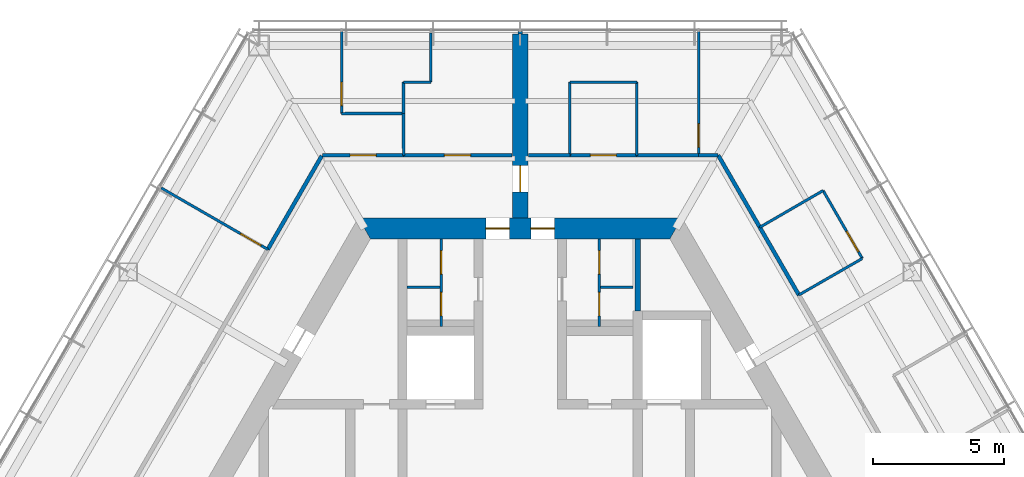
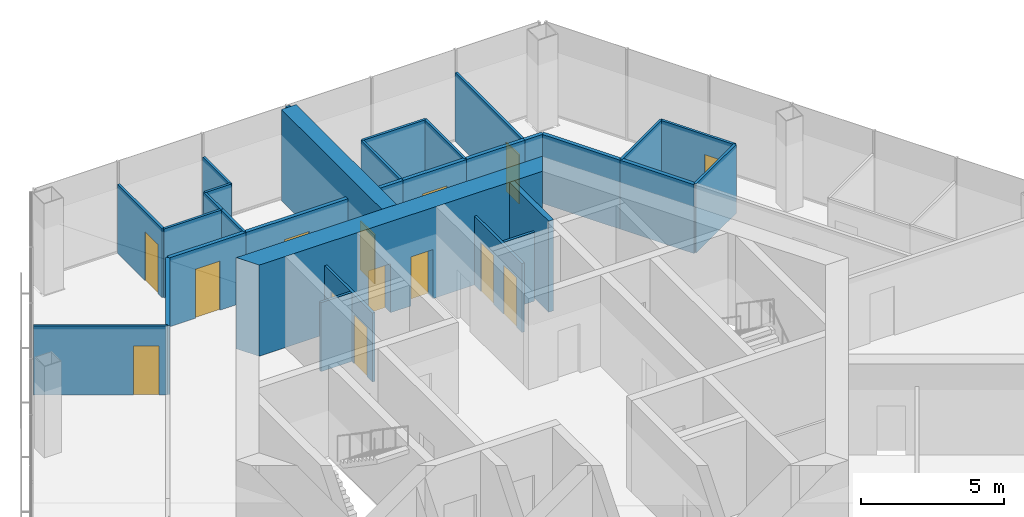
# One storey, part 12 of 14: 31 walls, 14 doors, 14 openings.
"""IFC4 building model written with IfcOpenShell, lengths in metres."""

from ifc_helpers import new_model, si_unit, direction, frame, frame_2d, origin, place, context, subcontext, project, spatial, polyline, rectangle, outline, extrude, material, layer, layer_set, type_object, element, fill, save


model = new_model("IFC4")

# Units and contexts
model_context = context("Model", 3, precision=1e-05, world=origin(), true_north=direction((0.0, 1.0)))
body_context = subcontext(model_context, "Body", "Model", "MODEL_VIEW")
ifc_project = project(units=[si_unit("LENGTHUNIT", "METRE"), si_unit("AREAUNIT", "SQUARE_METRE"), si_unit("VOLUMEUNIT", "CUBIC_METRE"), si_unit("PLANEANGLEUNIT", "RADIAN"), si_unit("MASSUNIT", "GRAM", prefix="KILO")], contexts=[model_context])

# Site, building, storey
site_placement = place(None, origin())
site = spatial("IfcSite", under=ifc_project, at=site_placement, CompositionType="ELEMENT")
building_placement = place(site_placement, origin())
building = spatial("IfcBuilding", under=site, at=building_placement, Name="Kasaneha Research Tower", CompositionType="ELEMENT")
storey_placement = place(building_placement, frame((0.0, 0.0, 216.699951171875)))
storey = spatial("IfcBuildingStorey", under=building, at=storey_placement, Name="L54", CompositionType="ELEMENT", Elevation=216.699951171875)

# Wall, openings, doors
ifc_material_1 = material(Name="Concrete Fc60", Category="concrete")
ifc_layer_1 = layer(ifc_material_1, 0.800048828125)
ifc_layer_set_1 = layer_set([ifc_layer_1], Name="Core wall 800 Fc60")
wall_type_1 = type_object("IfcWallType", Name="Core wall 800 Fc60", PredefinedType="SHEAR", material=ifc_layer_set_1)
wall_1_placement = place(storey_placement, frame((5.961181640625, 10.324951171875, 0.0), z_axis=(0.0, 0.0, 1.0), x_axis=(-1.0, 0.0, 0.0)))
wall_1 = element("IfcWall", 1, at=wall_1_placement, inside=storey, type_object=wall_type_1, Name="Core wall 090 L54", PredefinedType="SHEAR", context=body_context, shape_type="SweptSolid", body=[
    extrude(outline(polyline([(-0.23095703125, -0.39990234375), (4.648681640625, -0.39990234375), (5.548583984375, -0.39990234375), (6.37353515625, -0.39990234375), (7.2734375, -0.39990234375), (12.1533203125, -0.39990234375), (11.69140625, 0.39990234375), (7.2734375, 0.39990234375), (6.37353515625, 0.39990234375), (5.548583984375, 0.39990234375), (4.648681640625, 0.39990234375), (0.23095703125, 0.39990234375), (-0.23095703125, -0.39990234375)])), origin(), (0.0, 0.0, 1.0), 3.900146484375),
])
opening_1_placement = place(wall_1_placement, frame((6.37353515625, 0.0, 0.0)))
opening_1 = element("IfcOpeningElement", 2, at=opening_1_placement, cuts=wall_1, Name="Opening L54-D01", PredefinedType="OPENING", context=body_context, shape_type="SweptSolid", body=[
    extrude(rectangle(XDim=0.89990234375, YDim=2.10009765625, at=frame_2d((0.449951171875, 1.050048828125))), frame((0.0, 0.41015625, 0.0), z_axis=(0.0, -1.0, 0.0), x_axis=(1.0, 0.0, 0.0)), (0.0, 0.0, 1.0), 0.820068359375),
])
opening_2_placement = place(wall_1_placement, frame((4.648681640625, 0.0, 0.0)))
opening_2 = element("IfcOpeningElement", 3, at=opening_2_placement, cuts=wall_1, Name="Opening L54-D02", PredefinedType="OPENING", context=body_context, shape_type="SweptSolid", body=[
    extrude(rectangle(XDim=0.89990234375, YDim=2.10009765625, at=frame_2d((0.449951171875, 1.050048828125))), frame((0.0, 0.41015625, 0.0), z_axis=(0.0, -1.0, 0.0), x_axis=(1.0, 0.0, 0.0)), (0.0, 0.0, 1.0), 0.820068359375),
])
ifc_material_2 = material(Name="Steel", Category="steel")
door_type_1 = type_object("IfcDoorType", Name="Toilet door FD20 900x2100", OperationType="NOTDEFINED", PredefinedType="DOOR", material=ifc_material_2)
door_1_placement = place(opening_1_placement, origin())
door_1 = element("IfcDoor", 4, at=door_1_placement, inside=storey, type_object=door_type_1, Name="Core door north 1 L54-D01", OperationType="SINGLE_SWING_RIGHT", OverallHeight=2.10009765625, OverallWidth=0.89990234375, PredefinedType="DOOR", context=body_context, shape_type="SweptSolid", body=[
    extrude(rectangle(XDim=0.89990234375, YDim=2.10009765625, at=frame_2d((0.449951171875, 1.050048828125))), frame((0.0, 0.02490234375, 0.0), z_axis=(0.0, -1.0, 0.0), x_axis=(1.0, 0.0, 0.0)), (0.0, 0.0, 1.0), 0.050048828125),
])
fill(opening_1, door_1)
door_2_placement = place(opening_2_placement, origin())
door_2 = element("IfcDoor", 5, at=door_2_placement, inside=storey, type_object=door_type_1, Name="Core door north 2 L54-D02", OperationType="SINGLE_SWING_LEFT", OverallHeight=2.10009765625, OverallWidth=0.89990234375, PredefinedType="DOOR", context=body_context, shape_type="SweptSolid", body=[
    extrude(rectangle(XDim=0.89990234375, YDim=2.10009765625, at=frame_2d((0.449951171875, 1.050048828125))), frame((0.0, 0.02490234375, 0.0), z_axis=(0.0, -1.0, 0.0), x_axis=(1.0, 0.0, 0.0)), (0.0, 0.0, 1.0), 0.050048828125),
])
fill(opening_2, door_2)

ifc_material_3 = material(Name="Gypsum board on steel studs, one layer each side", Category="steel")
ifc_layer_2 = layer(ifc_material_3, 0.10009765625)
ifc_layer_set_2 = layer_set([ifc_layer_2], Name="Office partition 100")
wall_type_2 = type_object("IfcWallType", Name="Office partition 100", PredefinedType="PARTITIONING", material=ifc_layer_set_2)
wall_2_placement = place(storey_placement, frame((-3.02490234375, 6.574951171875, 0.0), z_axis=(0.0, 0.0, 1.0), x_axis=(0.0, 1.0, 0.0)))
wall_2 = element("IfcWall", 6, at=wall_2_placement, inside=storey, type_object=wall_type_2, Name="Office partition TBM1 L54", PredefinedType="PARTITIONING", context=body_context, shape_type="SweptSolid", body=[
    extrude(rectangle(XDim=3.35009765625, YDim=0.10009765625, at=frame_2d((1.675048828125, 0.0))), origin(), (0.0, 0.0, 1.0), 2.949951171875),
])
opening_3_placement = place(wall_2_placement, frame((2.0, 0.0, 0.0)))
opening_3 = element("IfcOpeningElement", 7, at=opening_3_placement, cuts=wall_2, Name="Opening L54-D21", PredefinedType="OPENING", context=body_context, shape_type="SweptSolid", body=[
    extrude(rectangle(XDim=0.89990234375, YDim=2.10009765625, at=frame_2d((0.449951171875, 1.050048828125))), frame((0.0, 0.06005859375, 0.0), z_axis=(0.0, -1.0, 0.0), x_axis=(1.0, 0.0, 0.0)), (0.0, 0.0, 1.0), 0.1201171875),
])
opening_4_placement = place(wall_2_placement, frame((0.39990234375, 0.0, 0.0)))
opening_4 = element("IfcOpeningElement", 8, at=opening_4_placement, cuts=wall_2, Name="Opening L54-D22", PredefinedType="OPENING", context=body_context, shape_type="SweptSolid", body=[
    extrude(rectangle(XDim=0.89990234375, YDim=2.10009765625, at=frame_2d((0.449951171875, 1.050048828125))), frame((0.0, 0.06005859375, 0.0), z_axis=(0.0, -1.0, 0.0), x_axis=(1.0, 0.0, 0.0)), (0.0, 0.0, 1.0), 0.1201171875),
])
ifc_material_4 = material(Name="Steel", Category="steel")
door_type_2 = type_object("IfcDoorType", Name="Toilet lobby door FD30 900x2100", OperationType="NOTDEFINED", PredefinedType="DOOR", material=ifc_material_4)
door_3_placement = place(opening_3_placement, origin())
door_3 = element("IfcDoor", 9, at=door_3_placement, inside=storey, type_object=door_type_2, Name="Men's WC door L54-D21", OperationType="SINGLE_SWING_RIGHT", OverallHeight=2.10009765625, OverallWidth=0.89990234375, PredefinedType="DOOR", context=body_context, shape_type="SweptSolid", body=[
    extrude(rectangle(XDim=0.89990234375, YDim=2.10009765625, at=frame_2d((0.449951171875, 1.050048828125))), frame((0.0, 0.02490234375, 0.0), z_axis=(0.0, -1.0, 0.0), x_axis=(1.0, 0.0, 0.0)), (0.0, 0.0, 1.0), 0.050048828125),
])
fill(opening_3, door_3)
door_4_placement = place(opening_4_placement, origin())
door_4 = element("IfcDoor", 10, at=door_4_placement, inside=storey, type_object=door_type_2, Name="Cleaner's store door L54-D22", OperationType="SINGLE_SWING_RIGHT", OverallHeight=2.10009765625, OverallWidth=0.89990234375, PredefinedType="DOOR", context=body_context, shape_type="SweptSolid", body=[
    extrude(rectangle(XDim=0.89990234375, YDim=2.10009765625, at=frame_2d((0.449951171875, 1.050048828125))), frame((0.0, 0.02490234375, 0.0), z_axis=(0.0, -1.0, 0.0), x_axis=(1.0, 0.0, 0.0)), (0.0, 0.0, 1.0), 0.050048828125),
])
fill(opening_4, door_4)

# Wall
wall_3_placement = place(storey_placement, frame((-3.074951171875, 8.074951171875, 0.0), z_axis=(0.0, 0.0, 1.0), x_axis=(-1.0, 0.0, 0.0)))
element("IfcWall", 11, at=wall_3_placement, inside=storey, type_object=wall_type_2, Name="Office partition TBM2 L54", PredefinedType="PARTITIONING", context=body_context, shape_type="SweptSolid", body=[
    extrude(rectangle(XDim=1.25, YDim=0.10009765625, at=frame_2d((0.625, 0.0))), origin(), (0.0, 0.0, 1.0), 2.949951171875),
])

# Wall, openings, doors
wall_4_placement = place(storey_placement, frame((3.02490234375, 6.574951171875, 0.0), z_axis=(0.0, 0.0, 1.0), x_axis=(0.0, 1.0, 0.0)))
wall_4 = element("IfcWall", 12, at=wall_4_placement, inside=storey, type_object=wall_type_2, Name="Office partition TBF1 L54", PredefinedType="PARTITIONING", context=body_context, shape_type="SweptSolid", body=[
    extrude(rectangle(XDim=3.35009765625, YDim=0.10009765625, at=frame_2d((1.675048828125, 0.0))), origin(), (0.0, 0.0, 1.0), 2.949951171875),
])
opening_5_placement = place(wall_4_placement, frame((2.0, 0.0, 0.0)))
opening_5 = element("IfcOpeningElement", 13, at=opening_5_placement, cuts=wall_4, Name="Opening L54-D23", PredefinedType="OPENING", context=body_context, shape_type="SweptSolid", body=[
    extrude(rectangle(XDim=0.89990234375, YDim=2.10009765625, at=frame_2d((0.449951171875, 1.050048828125))), frame((0.0, 0.06005859375, 0.0), z_axis=(0.0, -1.0, 0.0), x_axis=(1.0, 0.0, 0.0)), (0.0, 0.0, 1.0), 0.1201171875),
])
opening_6_placement = place(wall_4_placement, frame((0.39990234375, 0.0, 0.0)))
opening_6 = element("IfcOpeningElement", 14, at=opening_6_placement, cuts=wall_4, Name="Opening L54-D24", PredefinedType="OPENING", context=body_context, shape_type="SweptSolid", body=[
    extrude(rectangle(XDim=0.89990234375, YDim=2.10009765625, at=frame_2d((0.449951171875, 1.050048828125))), frame((0.0, 0.06005859375, 0.0), z_axis=(0.0, -1.0, 0.0), x_axis=(1.0, 0.0, 0.0)), (0.0, 0.0, 1.0), 0.1201171875),
])
door_5_placement = place(opening_5_placement, origin())
door_5 = element("IfcDoor", 15, at=door_5_placement, inside=storey, type_object=door_type_2, Name="Women's WC door L54-D23", OperationType="SINGLE_SWING_RIGHT", OverallHeight=2.10009765625, OverallWidth=0.89990234375, PredefinedType="DOOR", context=body_context, shape_type="SweptSolid", body=[
    extrude(rectangle(XDim=0.89990234375, YDim=2.10009765625, at=frame_2d((0.449951171875, 1.050048828125))), frame((0.0, 0.02490234375, 0.0), z_axis=(0.0, -1.0, 0.0), x_axis=(1.0, 0.0, 0.0)), (0.0, 0.0, 1.0), 0.050048828125),
])
fill(opening_5, door_5)
door_6_placement = place(opening_6_placement, origin())
door_6 = element("IfcDoor", 16, at=door_6_placement, inside=storey, type_object=door_type_2, Name="Parents' room door L54-D24", OperationType="SINGLE_SWING_RIGHT", OverallHeight=2.10009765625, OverallWidth=0.89990234375, PredefinedType="DOOR", context=body_context, shape_type="SweptSolid", body=[
    extrude(rectangle(XDim=0.89990234375, YDim=2.10009765625, at=frame_2d((0.449951171875, 1.050048828125))), frame((0.0, 0.02490234375, 0.0), z_axis=(0.0, -1.0, 0.0), x_axis=(1.0, 0.0, 0.0)), (0.0, 0.0, 1.0), 0.050048828125),
])
fill(opening_6, door_6)

# Walls
wall_5_placement = place(storey_placement, frame((3.074951171875, 8.074951171875, 0.0), z_axis=(0.0, 0.0, 1.0), x_axis=(1.0, 0.0, 0.0)))
element("IfcWall", 17, at=wall_5_placement, inside=storey, type_object=wall_type_2, Name="Office partition TBF2 L54", PredefinedType="PARTITIONING", context=body_context, shape_type="SweptSolid", body=[
    extrude(rectangle(XDim=1.25, YDim=0.10009765625, at=frame_2d((0.625, 0.0))), origin(), (0.0, 0.0, 1.0), 2.949951171875),
])
wall_6_placement = place(storey_placement, frame((1.89990234375, 15.925048828125, 0.0), z_axis=(0.0, 0.0, 1.0), x_axis=(1.0, 0.0, 0.0)))
element("IfcWall", 18, at=wall_6_placement, inside=storey, type_object=wall_type_2, Name="Office partition FAE08 L54", PredefinedType="PARTITIONING", context=body_context, shape_type="SweptSolid", body=[
    extrude(rectangle(XDim=2.565185546875, YDim=0.10009765625, at=frame_2d((1.28271484375, 0.0))), origin(), (0.0, 0.0, 1.0), 2.949951171875),
])
for number, where, z_axis, x_axis, name in (
    (19, (1.905029296875, 13.125, 0.0), (0.0, 0.0, 1.0), (-0.001831019688, 0.999998323682, 0.0), "Office partition FAE09 L54"),
    (20, (4.465087890625, 15.925048828125, 0.0), (0.0, 0.0, 1.0), (-0.001831019688, -0.999998323682, 0.0), "Office partition FAE10 L54"),
    (21, (9.168701171875, 10.369140625, 0.0), (0.0, 0.0, 1.0), (0.865255114713, 0.501331812737, 0.0), "Office partition FAE11 L54"),
):
    element("IfcWall", number, at=place(storey_placement, frame(where, z_axis=z_axis, x_axis=x_axis)), inside=storey, type_object=wall_type_2, Name=name, PredefinedType="PARTITIONING", context=body_context, shape_type="SweptSolid", body=[
        extrude(rectangle(XDim=2.800048828125, YDim=0.10009765625, at=frame_2d((1.39990234375, 0.0))), origin(), (0.0, 0.0, 1.0), 2.949951171875),
    ])

# Wall, opening, door
wall_7_placement = place(storey_placement, frame((11.591552734375, 11.77294921875, 0.0), z_axis=(0.0, 0.0, 1.0), x_axis=(0.499990139034, -0.866031096941, 0.0)))
wall_7 = element("IfcWall", 22, at=wall_7_placement, inside=storey, type_object=wall_type_2, Name="Office partition FAE12 L54", PredefinedType="PARTITIONING", context=body_context, shape_type="SweptSolid", body=[
    extrude(rectangle(XDim=3.0, YDim=0.10009765625, at=frame_2d((1.5, 0.0))), origin(), (0.0, 0.0, 1.0), 2.949951171875),
])
opening_7_placement = place(wall_7_placement, frame((1.800048828125, 0.0, 0.0)))
opening_7 = element("IfcOpeningElement", 23, at=opening_7_placement, cuts=wall_7, Name="Opening L54-D30", PredefinedType="OPENING", context=body_context, shape_type="SweptSolid", body=[
    extrude(rectangle(XDim=0.89990234375, YDim=2.10009765625, at=frame_2d((0.449951171875, 1.050048828125))), frame((0.0, 0.06005859375, 0.0), z_axis=(0.0, -1.0, 0.0), x_axis=(1.0, 0.0, 0.0)), (0.0, 0.0, 1.0), 0.1201171875),
])
ifc_material_5 = material(Name="Timber veneer", Category="wood")
door_type_3 = type_object("IfcDoorType", Name="Office door 900x2100", OperationType="SINGLE_SWING_LEFT", PredefinedType="DOOR", material=ifc_material_5)
door_7_placement = place(opening_7_placement, origin())
door_7 = element("IfcDoor", 24, at=door_7_placement, inside=storey, type_object=door_type_3, Name="Pantry door L54-D30", OperationType="SINGLE_SWING_RIGHT", OverallHeight=2.10009765625, OverallWidth=0.89990234375, PredefinedType="DOOR", context=body_context, shape_type="SweptSolid", body=[
    extrude(rectangle(XDim=0.89990234375, YDim=2.10009765625, at=frame_2d((0.449951171875, 1.050048828125))), frame((0.0, 0.02490234375, 0.0), z_axis=(0.0, -1.0, 0.0), x_axis=(1.0, 0.0, 0.0)), (0.0, 0.0, 1.0), 0.050048828125),
])
fill(opening_7, door_7)

# Wall
wall_8_placement = place(storey_placement, frame((13.091552734375, 9.1748046875, 0.0), z_axis=(0.0, 0.0, 1.0), x_axis=(-0.866855433567, -0.498559582492, 0.0)))
element("IfcWall", 25, at=wall_8_placement, inside=storey, type_object=wall_type_2, Name="Office partition FAE13 L54", PredefinedType="PARTITIONING", context=body_context, shape_type="SweptSolid", body=[
    extrude(rectangle(XDim=2.800048828125, YDim=0.10009765625, at=frame_2d((1.39990234375, 0.0))), origin(), (0.0, 0.0, 1.0), 2.949951171875),
])

# Wall, opening, door
wall_9_placement = place(storey_placement, frame((6.8310546875, 17.85546875, 0.0), z_axis=(0.0, 0.0, 1.0), x_axis=(-0.000980594079, -0.999999519218, 0.0)))
wall_9 = element("IfcWall", 26, at=wall_9_placement, inside=storey, type_object=wall_type_2, Name="Office partition FAE14 L54", PredefinedType="PARTITIONING", context=body_context, shape_type="SweptSolid", body=[
    extrude(rectangle(XDim=4.73046875, YDim=0.10009765625, at=frame_2d((2.365234375, 0.0))), origin(), (0.0, 0.0, 1.0), 2.949951171875),
])
opening_8_placement = place(wall_9_placement, frame((3.530517578125, 0.0, 0.0)))
opening_8 = element("IfcOpeningElement", 27, at=opening_8_placement, cuts=wall_9, Name="Opening L54-D31", PredefinedType="OPENING", context=body_context, shape_type="SweptSolid", body=[
    extrude(rectangle(XDim=0.89990234375, YDim=2.10009765625, at=frame_2d((0.449951171875, 1.050048828125))), frame((0.0, 0.06005859375, 0.0), z_axis=(0.0, -1.0, 0.0), x_axis=(1.0, 0.0, 0.0)), (0.0, 0.0, 1.0), 0.1201171875),
])
door_8_placement = place(opening_8_placement, origin())
door_8 = element("IfcDoor", 28, at=door_8_placement, inside=storey, type_object=door_type_3, Name="Project room door L54-D31", OperationType="SINGLE_SWING_RIGHT", OverallHeight=2.10009765625, OverallWidth=0.89990234375, PredefinedType="DOOR", context=body_context, shape_type="SweptSolid", body=[
    extrude(rectangle(XDim=0.89990234375, YDim=2.10009765625, at=frame_2d((0.449951171875, 1.050048828125))), frame((0.0, 0.02490234375, 0.0), z_axis=(0.0, -1.0, 0.0), x_axis=(1.0, 0.0, 0.0)), (0.0, 0.0, 1.0), 0.050048828125),
])
fill(opening_8, door_8)

# Walls
wall_10_placement = place(storey_placement, frame((-4.465087890625, 14.715576171875, 0.0), z_axis=(0.0, 0.0, 1.0), x_axis=(0.0, 1.0, 0.0)))
element("IfcWall", 29, at=wall_10_placement, inside=storey, type_object=wall_type_2, Name="Office partition FAW03 L54", PredefinedType="PARTITIONING", context=body_context, shape_type="SweptSolid", body=[
    extrude(rectangle(XDim=1.20947265625, YDim=0.10009765625, at=frame_2d((0.604736328125, 0.0))), origin(), (0.0, 0.0, 1.0), 2.949951171875),
])
wall_11_placement = place(storey_placement, frame((-4.465087890625, 15.925048828125, 0.0), z_axis=(0.0, 0.0, 1.0), x_axis=(1.0, 0.0, 0.0)))
element("IfcWall", 30, at=wall_11_placement, inside=storey, type_object=wall_type_2, Name="Office partition FAW04 L54", PredefinedType="PARTITIONING", context=body_context, shape_type="SweptSolid", body=[
    extrude(rectangle(XDim=1.050048828125, YDim=0.10009765625, at=frame_2d((0.52490234375, 0.0))), origin(), (0.0, 0.0, 1.0), 2.949951171875),
])
wall_12_placement = place(storey_placement, frame((-3.4150390625, 15.925048828125, 0.0), z_axis=(0.0, 0.0, 1.0), x_axis=(-0.000130174433, 0.999999991527, 0.0)))
element("IfcWall", 31, at=wall_12_placement, inside=storey, type_object=wall_type_2, Name="Office partition FAW05 L54", PredefinedType="PARTITIONING", context=body_context, shape_type="SweptSolid", body=[
    extrude(rectangle(XDim=1.87548828125, YDim=0.10009765625, at=frame_2d((0.937744140625, 0.0))), origin(), (0.0, 0.0, 1.0), 2.949951171875),
])
wall_13_placement = place(storey_placement, frame((-4.46044921875, 13.125, 0.0), z_axis=(0.0, 0.0, 1.0), x_axis=(-0.0028989808, 0.999995797946, 0.0)))
element("IfcWall", 32, at=wall_13_placement, inside=storey, type_object=wall_type_2, Name="Office partition FAW06 L54", PredefinedType="PARTITIONING", context=body_context, shape_type="SweptSolid", body=[
    extrude(rectangle(XDim=1.60009765625, YDim=0.10009765625, at=frame_2d((0.800048828125, 0.0))), origin(), (0.0, 0.0, 1.0), 2.949951171875),
])

# Wall, opening, door
wall_14_placement = place(storey_placement, frame((-6.830810546875, 14.720458984375, 0.0), z_axis=(0.0, 0.0, 1.0), x_axis=(0.0, 1.0, 0.0)))
wall_14 = element("IfcWall", 33, at=wall_14_placement, inside=storey, type_object=wall_type_2, Name="Office partition FAW07 L54", PredefinedType="PARTITIONING", context=body_context, shape_type="SweptSolid", body=[
    extrude(rectangle(XDim=3.135009765625, YDim=0.10009765625, at=frame_2d((1.5673828125, 0.0))), origin(), (0.0, 0.0, 1.0), 2.949951171875),
])
opening_9_placement = place(wall_14_placement, frame((0.300048828125, 0.0, 0.0)))
opening_9 = element("IfcOpeningElement", 34, at=opening_9_placement, cuts=wall_14, Name="Opening L54-D36", PredefinedType="OPENING", context=body_context, shape_type="SweptSolid", body=[
    extrude(rectangle(XDim=0.89990234375, YDim=2.10009765625, at=frame_2d((0.449951171875, 1.050048828125))), frame((0.0, 0.06005859375, 0.0), z_axis=(0.0, -1.0, 0.0), x_axis=(1.0, 0.0, 0.0)), (0.0, 0.0, 1.0), 0.1201171875),
])
door_9_placement = place(opening_9_placement, origin())
door_9 = element("IfcDoor", 35, at=door_9_placement, inside=storey, type_object=door_type_3, Name="Project room door L54-D36", OperationType="SINGLE_SWING_LEFT", OverallHeight=2.10009765625, OverallWidth=0.89990234375, PredefinedType="DOOR", context=body_context, shape_type="SweptSolid", body=[
    extrude(rectangle(XDim=0.89990234375, YDim=2.10009765625, at=frame_2d((0.449951171875, 1.050048828125))), frame((0.0, 0.02490234375, 0.0), z_axis=(0.0, -1.0, 0.0), x_axis=(1.0, 0.0, 0.0)), (0.0, 0.0, 1.0), 0.050048828125),
])
fill(opening_9, door_9)

# Wall
wall_15_placement = place(storey_placement, frame((-4.465087890625, 14.72509765625, 0.0), z_axis=(0.0, 0.0, 1.0), x_axis=(-0.999998077668, -0.001960780544, 0.0)))
element("IfcWall", 36, at=wall_15_placement, inside=storey, type_object=wall_type_2, Name="Office partition FAW08 L54", PredefinedType="PARTITIONING", context=body_context, shape_type="SweptSolid", body=[
    extrude(rectangle(XDim=2.36572265625, YDim=0.10009765625, at=frame_2d((1.182861328125, 0.0))), origin(), (0.0, 0.0, 1.0), 2.949951171875),
])

# Wall, opening, door
wall_16_placement = place(storey_placement, frame((-9.656494140625, 9.5244140625, 0.0), z_axis=(0.0, 0.0, 1.0), x_axis=(-0.866526579402, 0.499130931911, 0.0)))
wall_16 = element("IfcWall", 37, at=wall_16_placement, inside=storey, type_object=wall_type_2, Name="Office partition FBN05 L54", PredefinedType="PARTITIONING", context=body_context, shape_type="SweptSolid", body=[
    extrude(rectangle(XDim=4.705322265625, YDim=0.10009765625, at=frame_2d((2.3525390625, 0.0))), origin(), (0.0, 0.0, 1.0), 2.949951171875),
])
opening_10_placement = place(wall_16_placement, frame((0.300048828125, 0.0, 0.0)))
opening_10 = element("IfcOpeningElement", 38, at=opening_10_placement, cuts=wall_16, Name="Opening L54-D38", PredefinedType="OPENING", context=body_context, shape_type="SweptSolid", body=[
    extrude(rectangle(XDim=0.89990234375, YDim=2.10009765625, at=frame_2d((0.449951171875, 1.050048828125))), frame((0.0, 0.06005859375, 0.0), z_axis=(0.0, -1.0, 0.0), x_axis=(1.0, 0.0, 0.0)), (0.0, 0.0, 1.0), 0.1201171875),
])
door_10_placement = place(opening_10_placement, origin())
door_10 = element("IfcDoor", 39, at=door_10_placement, inside=storey, type_object=door_type_3, Name="Manager's office door L54-D38", OperationType="SINGLE_SWING_LEFT", OverallHeight=2.10009765625, OverallWidth=0.89990234375, PredefinedType="DOOR", context=body_context, shape_type="SweptSolid", body=[
    extrude(rectangle(XDim=0.89990234375, YDim=2.10009765625, at=frame_2d((0.449951171875, 1.050048828125))), frame((0.0, 0.02490234375, 0.0), z_axis=(0.0, -1.0, 0.0), x_axis=(1.0, 0.0, 0.0)), (0.0, 0.0, 1.0), 0.050048828125),
])
fill(opening_10, door_10)

# Wall
ifc_material_6 = material(Name="Concrete block", Category="concrete")
ifc_layer_3 = layer(ifc_material_6, 0.199951171875)
ifc_layer_set_3 = layer_set([ifc_layer_3], Name="Riser enclosure wall 200")
wall_type_3 = type_object("IfcWallType", Name="Riser enclosure wall 200", PredefinedType="STANDARD", material=ifc_layer_set_3)
wall_17_placement = place(storey_placement, frame((4.5, 7.175048828125, 0.0), z_axis=(0.0, 0.0, 1.0), x_axis=(0.0, 1.0, 0.0)))
element("IfcWall", 40, at=wall_17_placement, inside=storey, type_object=wall_type_3, Name="Riser enclosure wall L54", PredefinedType="STANDARD", context=body_context, shape_type="SweptSolid", body=[
    extrude(rectangle(XDim=2.75, YDim=0.199951171875, at=frame_2d((1.375, 0.0))), origin(), (0.0, 0.0, 1.0), 3.900146484375),
])

# Wall, opening, door
ifc_material_7 = material(Name="Concrete Fc60", Category="concrete")
ifc_layer_4 = layer(ifc_material_7, 0.60009765625)
ifc_layer_set_4 = layer_set([ifc_layer_4], Name="Spine wall 600 Fc60")
wall_type_4 = type_object("IfcWallType", Name="Spine wall 600 Fc60", PredefinedType="SHEAR", material=ifc_layer_set_4)
wall_18_placement = place(storey_placement, frame((0.0, 10.72509765625, 0.0), z_axis=(0.0, 0.0, 1.0), x_axis=(0.0, 1.0, 0.0)))
wall_18 = element("IfcWall", 41, at=wall_18_placement, inside=storey, type_object=wall_type_4, Name="Spine wall A L54", PredefinedType="SHEAR", context=body_context, shape_type="SweptSolid", body=[
    extrude(rectangle(XDim=7.04541015625, YDim=0.60009765625, at=frame_2d((3.522705078125, 0.0))), origin(), (0.0, 0.0, 1.0), 3.900146484375),
])
opening_11_placement = place(wall_18_placement, frame((1.0, 0.0, 0.0)))
opening_11 = element("IfcOpeningElement", 42, at=opening_11_placement, cuts=wall_18, Name="Opening L54-D18", PredefinedType="OPENING", context=body_context, shape_type="SweptSolid", body=[
    extrude(rectangle(XDim=1.0, YDim=2.10009765625, at=frame_2d((0.5, 1.050048828125))), frame((0.0, 0.31005859375, 0.0), z_axis=(0.0, -1.0, 0.0), x_axis=(1.0, 0.0, 0.0)), (0.0, 0.0, 1.0), 0.6201171875),
])
ifc_material_8 = material(Name="Steel", Category="steel")
door_type_4 = type_object("IfcDoorType", Name="Specified fire door FD60 1000x2100", OperationType="NOTDEFINED", PredefinedType="DOOR", material=ifc_material_8)
door_11_placement = place(opening_11_placement, origin())
door_11 = element("IfcDoor", 43, at=door_11_placement, inside=storey, type_object=door_type_4, Name="Spine doorway A L54-D18", OperationType="SINGLE_SWING_LEFT", OverallHeight=2.10009765625, OverallWidth=1.0, PredefinedType="DOOR", context=body_context, shape_type="SweptSolid", body=[
    extrude(rectangle(XDim=1.0, YDim=2.10009765625, at=frame_2d((0.5, 1.050048828125))), frame((0.0, 0.02490234375, 0.0), z_axis=(0.0, -1.0, 0.0), x_axis=(1.0, 0.0, 0.0)), (0.0, 0.0, 1.0), 0.050048828125),
])
fill(opening_11, door_11)

ifc_material_9 = material(Name="Gypsum board on steel studs, two layers each side", Category="steel")
ifc_layer_5 = layer(ifc_material_9, 0.14990234375)
ifc_layer_set_5 = layer_set([ifc_layer_5], Name="Suite partition 150")
wall_type_5 = type_object("IfcWallType", Name="Suite partition 150", PredefinedType="PARTITIONING", material=ifc_layer_set_5)
wall_19_placement = place(storey_placement, frame((1.89501953125, 13.125, 0.0), z_axis=(0.0, 0.0, 1.0), x_axis=(1.0, 0.0, 0.0)))
wall_19 = element("IfcWall", 44, at=wall_19_placement, inside=storey, type_object=wall_type_5, Name="Suite partition FAE01 L54", PredefinedType="PARTITIONING", context=body_context, shape_type="SweptSolid", body=[
    extrude(rectangle(XDim=2.574951171875, YDim=0.14990234375, at=frame_2d((1.28759765625, 0.0))), origin(), (0.0, 0.0, 1.0), 2.949951171875),
])
opening_12_placement = place(wall_19_placement, frame((0.78759765625, 0.0, 0.0)))
opening_12 = element("IfcOpeningElement", 45, at=opening_12_placement, cuts=wall_19, Name="Opening L54-D28", PredefinedType="OPENING", context=body_context, shape_type="SweptSolid", body=[
    extrude(rectangle(XDim=1.0, YDim=2.10009765625, at=frame_2d((0.5, 1.050048828125))), frame((0.0, 0.0849609375, 0.0), z_axis=(0.0, -1.0, 0.0), x_axis=(1.0, 0.0, 0.0)), (0.0, 0.0, 1.0), 0.169921875),
])
ifc_material_10 = material(Name="Steel", Category="steel")
door_type_5 = type_object("IfcDoorType", Name="Suite entrance door FD60 1000x2100", OperationType="NOTDEFINED", PredefinedType="DOOR", material=ifc_material_10)
door_12_placement = place(opening_12_placement, origin())
door_12 = element("IfcDoor", 46, at=door_12_placement, inside=storey, type_object=door_type_5, Name="Suite entrance door L54-D28", OperationType="SINGLE_SWING_RIGHT", OverallHeight=2.10009765625, OverallWidth=1.0, PredefinedType="DOOR", context=body_context, shape_type="SweptSolid", body=[
    extrude(rectangle(XDim=1.0, YDim=2.10009765625, at=frame_2d((0.5, 1.050048828125))), frame((0.0, 0.02490234375, 0.0), z_axis=(0.0, -1.0, 0.0), x_axis=(1.0, 0.0, 0.0)), (0.0, 0.0, 1.0), 0.050048828125),
])
fill(opening_12, door_12)

# Walls
wall_20_placement = place(storey_placement, frame((9.1640625, 10.377197265625, 0.0), z_axis=(0.0, 0.0, 1.0), x_axis=(0.500038395149, -0.8660032352, 0.0)))
element("IfcWall", 47, at=wall_20_placement, inside=storey, type_object=wall_type_5, Name="Suite partition FAE02 L54", PredefinedType="PARTITIONING", context=body_context, shape_type="SweptSolid", body=[
    extrude(rectangle(XDim=3.010009765625, YDim=0.14990234375, at=frame_2d((1.5048828125, 0.0))), origin(), (0.0, 0.0, 1.0), 2.949951171875),
])
wall_21_placement = place(storey_placement, frame((0.320068359375, 13.125, 0.0), z_axis=(0.0, 0.0, 1.0), x_axis=(1.0, 0.0, 0.0)))
element("IfcWall", 48, at=wall_21_placement, inside=storey, type_object=wall_type_5, Name="Suite partition FAE03 L54", PredefinedType="PARTITIONING", context=body_context, shape_type="SweptSolid", body=[
    extrude(rectangle(XDim=1.5849609375, YDim=0.14990234375, at=frame_2d((0.79248046875, 0.0))), origin(), (0.0, 0.0, 1.0), 2.949951171875),
])
wall_22_placement = place(storey_placement, frame((4.4599609375, 13.125, 0.0), z_axis=(0.0, 0.0, 1.0), x_axis=(1.0, 0.0, 0.0)))
element("IfcWall", 49, at=wall_22_placement, inside=storey, type_object=wall_type_5, Name="Suite partition FAE04 L54", PredefinedType="PARTITIONING", context=body_context, shape_type="SweptSolid", body=[
    extrude(rectangle(XDim=2.3759765625, YDim=0.14990234375, at=frame_2d((1.18798828125, 0.0))), origin(), (0.0, 0.0, 1.0), 2.949951171875),
])
wall_23_placement = place(storey_placement, frame((6.826416015625, 13.125, 0.0), z_axis=(0.0, 0.0, 1.0), x_axis=(1.0, 0.0, 0.0)))
element("IfcWall", 50, at=wall_23_placement, inside=storey, type_object=wall_type_5, Name="Suite partition FAE05 L54", PredefinedType="PARTITIONING", context=body_context, shape_type="SweptSolid", body=[
    extrude(rectangle(XDim=0.751220703125, YDim=0.14990234375, at=frame_2d((0.37548828125, 0.0))), origin(), (0.0, 0.0, 1.0), 2.949951171875),
])
wall_24_placement = place(storey_placement, frame((7.57763671875, 13.125, 0.0), z_axis=(0.0, 0.0, 1.0), x_axis=(0.499992528944, -0.866029717158, 0.0)))
element("IfcWall", 51, at=wall_24_placement, inside=storey, type_object=wall_type_5, Name="Suite partition FAE06 L54", PredefinedType="PARTITIONING", context=body_context, shape_type="SweptSolid", body=[
    extrude(rectangle(XDim=3.18212890625, YDim=0.14990234375, at=frame_2d((1.591064453125, 0.0))), origin(), (0.0, 0.0, 1.0), 2.949951171875),
])

# Wall, opening, door
wall_25_placement = place(storey_placement, frame((-4.469970703125, 13.125, 0.0), z_axis=(0.0, 0.0, 1.0), x_axis=(1.0, 0.0, 0.0)))
wall_25 = element("IfcWall", 52, at=wall_25_placement, inside=storey, type_object=wall_type_5, Name="Suite partition FAW01 L54", PredefinedType="PARTITIONING", context=body_context, shape_type="SweptSolid", body=[
    extrude(rectangle(XDim=4.14990234375, YDim=0.14990234375, at=frame_2d((2.074951171875, 0.0))), origin(), (0.0, 0.0, 1.0), 2.949951171875),
])
opening_13_placement = place(wall_25_placement, frame((1.574951171875, 0.0, 0.0)))
opening_13 = element("IfcOpeningElement", 53, at=opening_13_placement, cuts=wall_25, Name="Opening L54-D34", PredefinedType="OPENING", context=body_context, shape_type="SweptSolid", body=[
    extrude(rectangle(XDim=1.0, YDim=2.10009765625, at=frame_2d((0.5, 1.050048828125))), frame((0.0, 0.0849609375, 0.0), z_axis=(0.0, -1.0, 0.0), x_axis=(1.0, 0.0, 0.0)), (0.0, 0.0, 1.0), 0.169921875),
])
door_13_placement = place(opening_13_placement, origin())
door_13 = element("IfcDoor", 54, at=door_13_placement, inside=storey, type_object=door_type_5, Name="Suite entrance door L54-D34", OperationType="SINGLE_SWING_LEFT", OverallHeight=2.10009765625, OverallWidth=1.0, PredefinedType="DOOR", context=body_context, shape_type="SweptSolid", body=[
    extrude(rectangle(XDim=1.0, YDim=2.10009765625, at=frame_2d((0.5, 1.050048828125))), frame((0.0, 0.02490234375, 0.0), z_axis=(0.0, -1.0, 0.0), x_axis=(1.0, 0.0, 0.0)), (0.0, 0.0, 1.0), 0.050048828125),
])
fill(opening_13, door_13)

wall_26_placement = place(storey_placement, frame((-7.5546875, 13.125, 0.0), z_axis=(0.0, 0.0, 1.0), x_axis=(1.0, 0.0, 0.0)))
wall_26 = element("IfcWall", 55, at=wall_26_placement, inside=storey, type_object=wall_type_5, Name="Suite partition FAW02 L54", PredefinedType="PARTITIONING", context=body_context, shape_type="SweptSolid", body=[
    extrude(rectangle(XDim=3.09423828125, YDim=0.14990234375, at=frame_2d((1.547119140625, 0.0))), origin(), (0.0, 0.0, 1.0), 2.949951171875),
])
opening_14_placement = place(wall_26_placement, frame((1.047119140625, 0.0, 0.0)))
opening_14 = element("IfcOpeningElement", 56, at=opening_14_placement, cuts=wall_26, Name="Opening L54-D35", PredefinedType="OPENING", context=body_context, shape_type="SweptSolid", body=[
    extrude(rectangle(XDim=1.0, YDim=2.10009765625, at=frame_2d((0.5, 1.050048828125))), frame((0.0, 0.0849609375, 0.0), z_axis=(0.0, -1.0, 0.0), x_axis=(1.0, 0.0, 0.0)), (0.0, 0.0, 1.0), 0.169921875),
])
door_14_placement = place(opening_14_placement, origin())
door_14 = element("IfcDoor", 57, at=door_14_placement, inside=storey, type_object=door_type_5, Name="Suite entrance door L54-D35", OperationType="SINGLE_SWING_LEFT", OverallHeight=2.10009765625, OverallWidth=1.0, PredefinedType="DOOR", context=body_context, shape_type="SweptSolid", body=[
    extrude(rectangle(XDim=1.0, YDim=2.10009765625, at=frame_2d((0.5, 1.050048828125))), frame((0.0, 0.02490234375, 0.0), z_axis=(0.0, -1.0, 0.0), x_axis=(1.0, 0.0, 0.0)), (0.0, 0.0, 1.0), 0.050048828125),
])
fill(opening_14, door_14)

# Walls
wall_27_placement = place(storey_placement, frame((-9.661376953125, 9.51611328125, 0.0), z_axis=(0.0, 0.0, 1.0), x_axis=(0.499997836828, 0.866026652689, 0.0)))
element("IfcWall", 58, at=wall_27_placement, inside=storey, type_object=wall_type_5, Name="Suite partition FBN01 L54", PredefinedType="PARTITIONING", context=body_context, shape_type="SweptSolid", body=[
    extrude(rectangle(XDim=4.14404296875, YDim=0.14990234375, at=frame_2d((2.072021484375, 0.0))), origin(), (0.0, 0.0, 1.0), 2.949951171875),
])
ifc_material_11 = material(Name="Gypsum board on steel studs, two layers each side", Category="steel")
ifc_layer_6 = layer(ifc_material_11, 0.175048828125)
ifc_layer_set_6 = layer_set([ifc_layer_6], Name="Tenancy fire partition 175")
wall_type_6 = type_object("IfcWallType", Name="Tenancy fire partition 175", PredefinedType="PARTITIONING", material=ifc_layer_set_6)
wall_28_placement = place(storey_placement, frame((0.0, 17.7705078125, 0.0), z_axis=(0.0, 0.0, 1.0), x_axis=(0.0, 1.0, 0.0)))
element("IfcWall", 59, at=wall_28_placement, inside=storey, type_object=wall_type_6, Name="Spine wall closer SW4-600 L54", PredefinedType="PARTITIONING", context=body_context, shape_type="SweptSolid", body=[
    extrude(rectangle(XDim=0.0849609375, YDim=0.175048828125, at=frame_2d((0.04248046875, 0.0))), origin(), (0.0, 0.0, 1.0), 3.900146484375),
])

save(model, "model.ifc")
